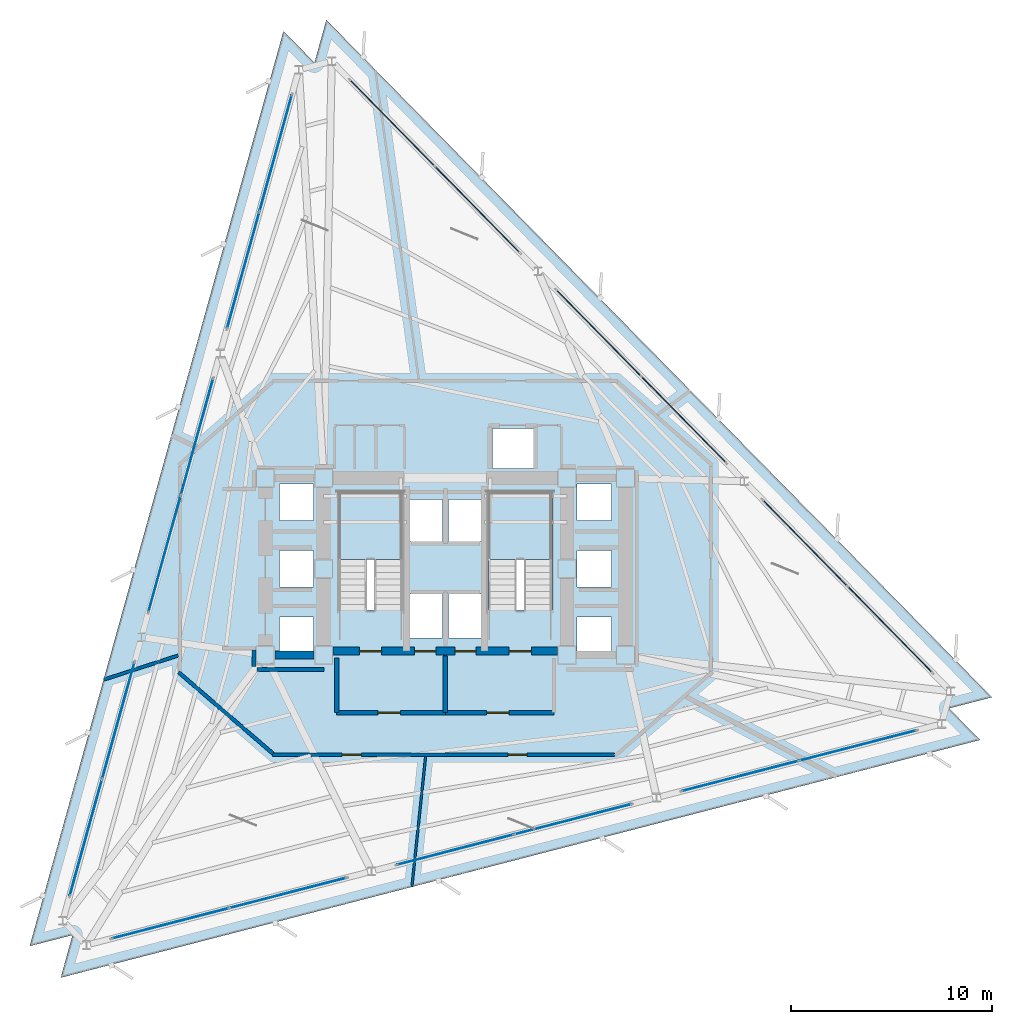
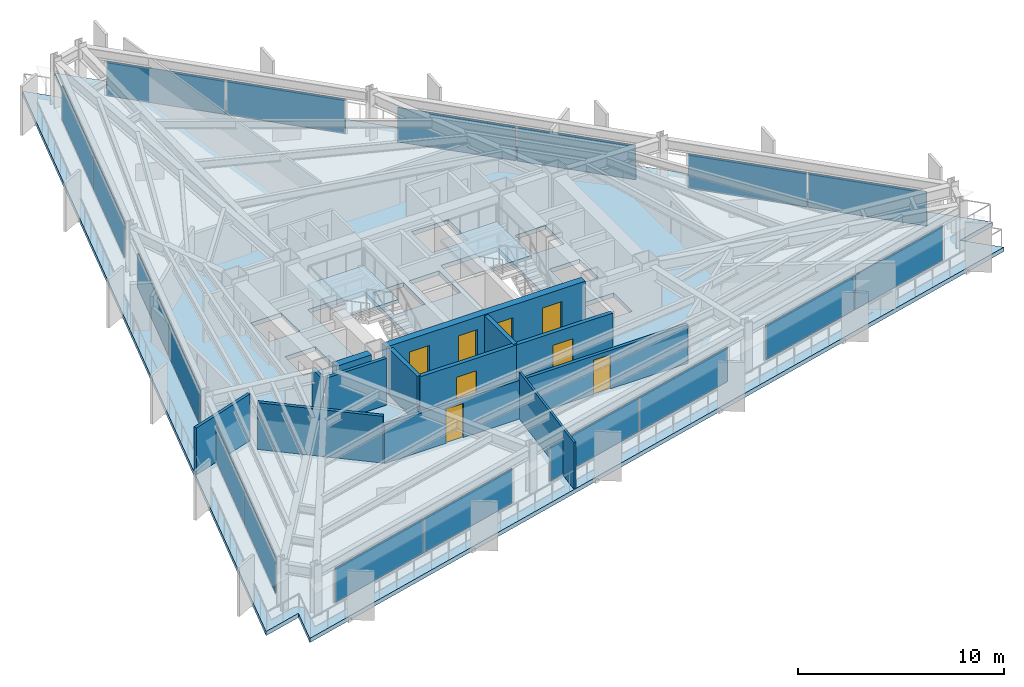
# One storey, part 6 of 11: 18 plates, 12 walls, 8 doors, 3 slabs, 8 openings, 11 elements without a shape of their own.
"""IFC4 building model written with IfcOpenShell, lengths in metres."""

from ifc_helpers import new_model, si_unit, direction, frame, frame_2d, origin, origin_2d, place, context, subcontext, project, spatial, polyline, rectangle, outline, extrude, material, layer, layer_set, type_object, element, fill, aggregate, save


model = new_model("IFC4")

# Units and contexts
model_context = context("Model", 3, precision=1e-05, world=origin(), true_north=direction((0.0, 1.0)))
body_context = subcontext(model_context, "Body", "Model", "MODEL_VIEW")
ifc_project = project(units=[si_unit("LENGTHUNIT", "METRE"), si_unit("AREAUNIT", "SQUARE_METRE"), si_unit("VOLUMEUNIT", "CUBIC_METRE"), si_unit("PLANEANGLEUNIT", "RADIAN"), si_unit("MASSUNIT", "GRAM", prefix="KILO")], contexts=[model_context])

# Site, building, storey
site_placement = place(None, origin())
site = spatial("IfcSite", under=ifc_project, at=site_placement, CompositionType="ELEMENT")
building_placement = place(site_placement, origin())
building = spatial("IfcBuilding", under=site, at=building_placement, Name="Rocaltana Carrier Exchange", CompositionType="ELEMENT")
storey_placement = place(building_placement, frame((0.0, 0.0, 88.639892578125)))
storey = spatial("IfcBuildingStorey", under=building, at=storey_placement, Name="L27", CompositionType="ELEMENT", Elevation=88.639892578125)

# Curtain wall, plates
ifc_material_1 = material(Name="Aluminium 6063-T6", Category="aluminium")
ifc_layer_1 = layer(ifc_material_1, 0.1650390625)
ifc_layer_set_1 = layer_set([ifc_layer_1], Name="Aluminium 6063-T6")
curtain_wall_type = type_object("IfcCurtainWallType", Name="Lower-Mid Stepped Curtain Wall CW-02", PredefinedType="NOTDEFINED", material=ifc_layer_set_1)
curtain_wall_1_placement = place(storey_placement, origin())
curtain_wall_1 = element("IfcCurtainWall", 1, at=curtain_wall_1_placement, inside=storey, type_object=curtain_wall_type, Name="L27 CW-02 Run CW-L27-F1S1", PredefinedType="NOTDEFINED")
ifc_material_2 = material(Name="Tempered Laminated Glass", Category="glass")
ifc_layer_2 = layer(ifc_material_2, 0.0419921875)
ifc_layer_set_2 = layer_set([ifc_layer_2], Name="Tempered Laminated Glass")
plate_type = type_object("IfcPlateType", Name="CW-02 Stone-Insulated Vision Panel", PredefinedType="CURTAIN_PANEL", material=ifc_layer_set_2)
plate_1_placement = place(storey_placement, frame((22.10400390625, -3.02490234375, 0.065185546875), z_axis=(0.0, 0.0, 1.0), x_axis=(-0.700915045542, 0.713244767898, 0.0)))
plate_1 = element("IfcPlate", 2, at=plate_1_placement, type_object=plate_type, Name="CW-02 panel 1.1", PredefinedType="CURTAIN_PANEL", context=body_context, shape_type="SweptSolid", body=[
    extrude(rectangle(XDim=5.96923828125, YDim=0.0419921875, at=origin_2d()), origin(), (0.0, 0.0, 1.0), 2.0380859375),
])
plate_2_placement = place(storey_placement, frame((17.874755859375, 1.279052734375, 0.065185546875), z_axis=(0.0, 0.0, 1.0), x_axis=(-0.700915045542, 0.713244767898, 0.0)))
plate_2 = element("IfcPlate", 3, at=plate_2_placement, type_object=plate_type, Name="CW-02 panel 2.1", PredefinedType="CURTAIN_PANEL", context=body_context, shape_type="SweptSolid", body=[
    extrude(rectangle(XDim=5.96923828125, YDim=0.0419921875, at=origin_2d()), origin(), (0.0, 0.0, 1.0), 2.0380859375),
])
aggregate(curtain_wall_1, [plate_1, plate_2])

curtain_wall_2_placement = place(storey_placement, origin())
curtain_wall_2 = element("IfcCurtainWall", 4, at=curtain_wall_2_placement, inside=storey, type_object=curtain_wall_type, Name="L27 CW-02 Run CW-L27-F1S2", PredefinedType="NOTDEFINED")
plate_3_placement = place(storey_placement, frame((11.847412109375, 7.412353515625, 0.065185546875), z_axis=(0.0, 0.0, 1.0), x_axis=(-0.700915118017, 0.713244696676, 0.0)))
plate_3 = element("IfcPlate", 5, at=plate_3_placement, type_object=plate_type, Name="CW-02 panel 1.1", PredefinedType="CURTAIN_PANEL", context=body_context, shape_type="SweptSolid", body=[
    extrude(rectangle(XDim=5.96923828125, YDim=0.0419921875, at=origin_2d()), origin(), (0.0, 0.0, 1.0), 2.0380859375),
])
plate_4_placement = place(storey_placement, frame((7.617919921875, 11.71630859375, 0.065185546875), z_axis=(0.0, 0.0, 1.0), x_axis=(-0.700915118017, 0.713244696676, 0.0)))
plate_4 = element("IfcPlate", 6, at=plate_4_placement, type_object=plate_type, Name="CW-02 panel 2.1", PredefinedType="CURTAIN_PANEL", context=body_context, shape_type="SweptSolid", body=[
    extrude(rectangle(XDim=5.96923828125, YDim=0.0419921875, at=origin_2d()), origin(), (0.0, 0.0, 1.0), 2.0380859375),
])
aggregate(curtain_wall_2, [plate_3, plate_4])

curtain_wall_3_placement = place(storey_placement, origin())
curtain_wall_3 = element("IfcCurtainWall", 7, at=curtain_wall_3_placement, inside=storey, type_object=curtain_wall_type, Name="L27 CW-02 Run CW-L27-F1S3", PredefinedType="NOTDEFINED")
plate_5_placement = place(storey_placement, frame((1.5908203125, 17.849609375, 0.065185546875), z_axis=(0.0, 0.0, 1.0), x_axis=(-0.700915045542, 0.713244767898, 0.0)))
plate_5 = element("IfcPlate", 8, at=plate_5_placement, type_object=plate_type, Name="CW-02 panel 1.1", PredefinedType="CURTAIN_PANEL", context=body_context, shape_type="SweptSolid", body=[
    extrude(rectangle(XDim=5.96923828125, YDim=0.0419921875, at=origin_2d()), origin(), (0.0, 0.0, 1.0), 2.0380859375),
])
plate_6_placement = place(storey_placement, frame((-2.638671875, 22.153564453125, 0.065185546875), z_axis=(0.0, 0.0, 1.0), x_axis=(-0.700915045542, 0.713244767898, 0.0)))
plate_6 = element("IfcPlate", 9, at=plate_6_placement, type_object=plate_type, Name="CW-02 panel 2.1", PredefinedType="CURTAIN_PANEL", context=body_context, shape_type="SweptSolid", body=[
    extrude(rectangle(XDim=5.96923828125, YDim=0.0419921875, at=origin_2d()), origin(), (0.0, 0.0, 1.0), 2.0380859375),
])
aggregate(curtain_wall_3, [plate_5, plate_6])

curtain_wall_4_placement = place(storey_placement, origin())
curtain_wall_4 = element("IfcCurtainWall", 10, at=curtain_wall_4_placement, inside=storey, type_object=curtain_wall_type, Name="L27 CW-02 Run CW-L27-F2S1", PredefinedType="NOTDEFINED")
plate_7_placement = place(storey_placement, frame((-8.432373046875, 20.655029296875, 0.065185546875), z_axis=(0.0, 0.0, 1.0), x_axis=(-0.267245546918, -0.96362846453, 0.0)))
plate_7 = element("IfcPlate", 11, at=plate_7_placement, type_object=plate_type, Name="CW-02 panel 1.1", PredefinedType="CURTAIN_PANEL", context=body_context, shape_type="SweptSolid", body=[
    extrude(rectangle(XDim=5.96923828125, YDim=0.0419921875, at=origin_2d()), origin(), (0.0, 0.0, 1.0), 2.0380859375),
])
plate_8_placement = place(storey_placement, frame((-10.045166015625, 14.84033203125, 0.065185546875), z_axis=(0.0, 0.0, 1.0), x_axis=(-0.267245546918, -0.96362846453, 0.0)))
plate_8 = element("IfcPlate", 12, at=plate_8_placement, type_object=plate_type, Name="CW-02 panel 2.1", PredefinedType="CURTAIN_PANEL", context=body_context, shape_type="SweptSolid", body=[
    extrude(rectangle(XDim=5.96923828125, YDim=0.0419921875, at=origin_2d()), origin(), (0.0, 0.0, 1.0), 2.0380859375),
])
aggregate(curtain_wall_4, [plate_7, plate_8])

curtain_wall_5_placement = place(storey_placement, origin())
curtain_wall_5 = element("IfcCurtainWall", 13, at=curtain_wall_5_placement, inside=storey, type_object=curtain_wall_type, Name="L27 CW-02 Run CW-L27-F2S2", PredefinedType="NOTDEFINED")
plate_9_placement = place(storey_placement, frame((-12.343017578125, 6.553955078125, 0.065185546875), z_axis=(0.0, 0.0, 1.0), x_axis=(-0.267237893807, -0.963630586954, 0.0)))
plate_9 = element("IfcPlate", 14, at=plate_9_placement, type_object=plate_type, Name="CW-02 panel 1.1", PredefinedType="CURTAIN_PANEL", context=body_context, shape_type="SweptSolid", body=[
    extrude(rectangle(XDim=5.96923828125, YDim=0.0419921875, at=origin_2d()), origin(), (0.0, 0.0, 1.0), 2.0380859375),
])
plate_10_placement = place(storey_placement, frame((-13.95556640625, 0.7392578125, 0.065185546875), z_axis=(0.0, 0.0, 1.0), x_axis=(-0.267237893807, -0.963630586954, 0.0)))
plate_10 = element("IfcPlate", 15, at=plate_10_placement, type_object=plate_type, Name="CW-02 panel 2.1", PredefinedType="CURTAIN_PANEL", context=body_context, shape_type="SweptSolid", body=[
    extrude(rectangle(XDim=5.96923828125, YDim=0.0419921875, at=origin_2d()), origin(), (0.0, 0.0, 1.0), 2.0380859375),
])
aggregate(curtain_wall_5, [plate_9, plate_10])

curtain_wall_6_placement = place(storey_placement, origin())
curtain_wall_6 = element("IfcCurtainWall", 16, at=curtain_wall_6_placement, inside=storey, type_object=curtain_wall_type, Name="L27 CW-02 Run CW-L27-F2S3", PredefinedType="NOTDEFINED")
plate_11_placement = place(storey_placement, frame((-16.253662109375, -7.547119140625, 0.065185546875), z_axis=(0.0, 0.0, 1.0), x_axis=(-0.267243424491, -0.963629053146, 0.0)))
plate_11 = element("IfcPlate", 17, at=plate_11_placement, type_object=plate_type, Name="CW-02 panel 1.1", PredefinedType="CURTAIN_PANEL", context=body_context, shape_type="SweptSolid", body=[
    extrude(rectangle(XDim=5.96923828125, YDim=0.0419921875, at=origin_2d()), origin(), (0.0, 0.0, 1.0), 2.0380859375),
])
plate_12_placement = place(storey_placement, frame((-17.8662109375, -13.36181640625, 0.065185546875), z_axis=(0.0, 0.0, 1.0), x_axis=(-0.267243424491, -0.963629053146, 0.0)))
plate_12 = element("IfcPlate", 18, at=plate_12_placement, type_object=plate_type, Name="CW-02 panel 2.1", PredefinedType="CURTAIN_PANEL", context=body_context, shape_type="SweptSolid", body=[
    extrude(rectangle(XDim=5.96923828125, YDim=0.0419921875, at=origin_2d()), origin(), (0.0, 0.0, 1.0), 2.0380859375),
])
aggregate(curtain_wall_6, [plate_11, plate_12])

curtain_wall_7_placement = place(storey_placement, origin())
curtain_wall_7 = element("IfcCurtainWall", 19, at=curtain_wall_7_placement, inside=storey, type_object=curtain_wall_type, Name="L27 CW-02 Run CW-L27-F3S1", PredefinedType="NOTDEFINED")
plate_13_placement = place(storey_placement, frame((-13.671630859375, -17.63037109375, 0.065185546875), z_axis=(0.0, 0.0, 1.0), x_axis=(0.968148220548, 0.250377760692, 0.0)))
plate_13 = element("IfcPlate", 20, at=plate_13_placement, type_object=plate_type, Name="CW-02 panel 1.1", PredefinedType="CURTAIN_PANEL", context=body_context, shape_type="SweptSolid", body=[
    extrude(rectangle(XDim=5.96923828125, YDim=0.0419921875, at=origin_2d()), origin(), (0.0, 0.0, 1.0), 2.0380859375),
])
plate_14_placement = place(storey_placement, frame((-7.82958984375, -16.119384765625, 0.065185546875), z_axis=(0.0, 0.0, 1.0), x_axis=(0.968148220548, 0.250377760692, 0.0)))
plate_14 = element("IfcPlate", 21, at=plate_14_placement, type_object=plate_type, Name="CW-02 panel 2.1", PredefinedType="CURTAIN_PANEL", context=body_context, shape_type="SweptSolid", body=[
    extrude(rectangle(XDim=5.96923828125, YDim=0.0419921875, at=origin_2d()), origin(), (0.0, 0.0, 1.0), 2.0380859375),
])
aggregate(curtain_wall_7, [plate_13, plate_14])

curtain_wall_8_placement = place(storey_placement, origin())
curtain_wall_8 = element("IfcCurtainWall", 22, at=curtain_wall_8_placement, inside=storey, type_object=curtain_wall_type, Name="L27 CW-02 Run CW-L27-F3S2", PredefinedType="NOTDEFINED")
plate_15_placement = place(storey_placement, frame((0.49560546875, -13.96630859375, 0.065185546875), z_axis=(0.0, 0.0, 1.0), x_axis=(0.968148220548, 0.250377760692, 0.0)))
plate_15 = element("IfcPlate", 23, at=plate_15_placement, type_object=plate_type, Name="CW-02 panel 1.1", PredefinedType="CURTAIN_PANEL", context=body_context, shape_type="SweptSolid", body=[
    extrude(rectangle(XDim=5.96923828125, YDim=0.0419921875, at=origin_2d()), origin(), (0.0, 0.0, 1.0), 2.0380859375),
])
plate_16_placement = place(storey_placement, frame((6.337646484375, -12.45556640625, 0.065185546875), z_axis=(0.0, 0.0, 1.0), x_axis=(0.968148220548, 0.250377760692, 0.0)))
plate_16 = element("IfcPlate", 24, at=plate_16_placement, type_object=plate_type, Name="CW-02 panel 2.1", PredefinedType="CURTAIN_PANEL", context=body_context, shape_type="SweptSolid", body=[
    extrude(rectangle(XDim=5.96923828125, YDim=0.0419921875, at=origin_2d()), origin(), (0.0, 0.0, 1.0), 2.0380859375),
])
aggregate(curtain_wall_8, [plate_15, plate_16])

curtain_wall_9_placement = place(storey_placement, origin())
curtain_wall_9 = element("IfcCurtainWall", 25, at=curtain_wall_9_placement, inside=storey, type_object=curtain_wall_type, Name="L27 CW-02 Run CW-L27-F3S3", PredefinedType="NOTDEFINED")
plate_17_placement = place(storey_placement, frame((14.662841796875, -10.302490234375, 0.065185546875), z_axis=(0.0, 0.0, 1.0), x_axis=(0.96815021836, 0.250370035526, 0.0)))
plate_17 = element("IfcPlate", 26, at=plate_17_placement, type_object=plate_type, Name="CW-02 panel 1.1", PredefinedType="CURTAIN_PANEL", context=body_context, shape_type="SweptSolid", body=[
    extrude(rectangle(XDim=5.96923828125, YDim=0.0419921875, at=origin_2d()), origin(), (0.0, 0.0, 1.0), 2.0380859375),
])
plate_18_placement = place(storey_placement, frame((20.5048828125, -8.791748046875, 0.065185546875), z_axis=(0.0, 0.0, 1.0), x_axis=(0.96815021836, 0.250370035526, 0.0)))
plate_18 = element("IfcPlate", 27, at=plate_18_placement, type_object=plate_type, Name="CW-02 panel 2.1", PredefinedType="CURTAIN_PANEL", context=body_context, shape_type="SweptSolid", body=[
    extrude(rectangle(XDim=5.96923828125, YDim=0.0419921875, at=origin_2d()), origin(), (0.0, 0.0, 1.0), 2.0380859375),
])
aggregate(curtain_wall_9, [plate_17, plate_18])

# Slab
ifc_material_3 = material(Name="Concrete C50/60", Category="concrete")
ifc_layer_3 = layer(ifc_material_3, 0.25)
ifc_layer_set_3 = layer_set([ifc_layer_3], Name="Concrete C50/60")
slab_type_1 = type_object("IfcSlabType", Name="Mid-Zone Tower Slab 250", PredefinedType="FLOOR", material=ifc_layer_set_3)
slab_1_placement = place(storey_placement, frame((0.0, 0.0, -0.25)))
element("IfcSlab", 28, at=slab_1_placement, inside=storey, type_object=slab_type_1, Name="L27 Structural Floor Slab", PredefinedType="FLOOR", context=body_context, shape_type="SweptSolid", body=[
    extrude(outline(polyline([(26.577880859375, -8.51220703125), (25.035888671875, -6.943115234375), (27.165771484375, -6.39208984375), (-5.9169921875, 27.273193359375), (-6.505126953125, 25.1533203125), (-8.047119140625, 26.722412109375), (-20.66064453125, -18.760986328125), (-18.53076171875, -18.210205078125), (-19.11865234375, -20.330078125), (26.577880859375, -8.51220703125)]), holes=[polyline([(-5.300048828125, -2.06005859375), (-2.139892578125, -2.06005859375), (-2.139892578125, 3.800048828125), (-5.300048828125, 3.800048828125), (-5.300048828125, -2.06005859375)]), polyline([(2.139892578125, -2.06005859375), (5.300048828125, -2.06005859375), (5.300048828125, 3.800048828125), (2.139892578125, 3.800048828125), (2.139892578125, -2.06005859375)]), polyline([(-1.85009765625, -3.449951171875), (-0.14990234375, -3.449951171875), (-0.14990234375, -1.25), (-1.85009765625, -1.25), (-1.85009765625, -3.449951171875)]), polyline([(0.14990234375, -3.449951171875), (1.85009765625, -3.449951171875), (1.85009765625, -1.25), (0.14990234375, -1.25), (0.14990234375, -3.449951171875)]), polyline([(2.35009765625, 4.97998046875), (4.39990234375, 4.97998046875), (4.39990234375, 6.97998046875), (2.35009765625, 6.97998046875), (2.35009765625, 4.97998046875)]), polyline([(-1.85009765625, 1.35009765625), (-0.14990234375, 1.35009765625), (-0.14990234375, 3.449951171875), (-1.85009765625, 3.449951171875), (-1.85009765625, 1.35009765625)]), polyline([(0.14990234375, 1.35009765625), (1.85009765625, 1.35009765625), (1.85009765625, 3.449951171875), (0.14990234375, 3.449951171875), (0.14990234375, 1.35009765625)]), polyline([(-8.25, -4.199951171875), (-6.550048828125, -4.199951171875), (-6.550048828125, -2.39990234375), (-8.25, -2.39990234375), (-8.25, -4.199951171875)]), polyline([(-8.25, -0.89990234375), (-6.550048828125, -0.89990234375), (-6.550048828125, 0.89990234375), (-8.25, 0.89990234375), (-8.25, -0.89990234375)]), polyline([(-8.25, 2.39990234375), (-6.550048828125, 2.39990234375), (-6.550048828125, 4.199951171875), (-8.25, 4.199951171875), (-8.25, 2.39990234375)]), polyline([(6.550048828125, -4.199951171875), (8.25, -4.199951171875), (8.25, -2.39990234375), (6.550048828125, -2.39990234375), (6.550048828125, -4.199951171875)]), polyline([(6.550048828125, -0.89990234375), (8.25, -0.89990234375), (8.25, 0.89990234375), (6.550048828125, 0.89990234375), (6.550048828125, -0.89990234375)]), polyline([(6.550048828125, 2.39990234375), (8.25, 2.39990234375), (8.25, 4.199951171875), (6.550048828125, 4.199951171875), (6.550048828125, 2.39990234375)])]), origin(), (0.0, 0.0, 1.0), 0.25),
])

# Stair, slab
ifc_material_4 = material(Name="Precast concrete C45/55", Category="concrete")
stair_type = type_object("IfcStairType", Name="Standard Dog-Leg Stair 160", PredefinedType="HALF_TURN_STAIR", material=ifc_material_4)
stair_1_placement = place(storey_placement, origin())
stair_1 = element("IfcStair", 29, at=stair_1_placement, inside=storey, type_object=stair_type, Name="L27 Core West Exit Stair ST-1", PredefinedType="HALF_TURN_STAIR")
ifc_material_5 = material(Name="Precast concrete C45/55", Category="concrete")
ifc_layer_4 = layer(ifc_material_5, 0.199951171875)
ifc_layer_set_4 = layer_set([ifc_layer_4], Name="Precast concrete C45/55")
slab_type_2 = type_object("IfcSlabType", Name="Precast Stair Half-Landing 200", PredefinedType="LANDING", material=ifc_layer_set_4)
slab_2_placement = place(storey_placement, frame((0.0, 0.0, 1.320068359375)))
slab_2 = element("IfcSlab", 30, at=slab_2_placement, type_object=slab_type_2, Name="ST-1 landing 1", PredefinedType="LANDING", context=body_context, shape_type="SweptSolid", body=[
    extrude(outline(polyline([(-2.139892578125, 0.4599609375), (-2.139892578125, 3.800048828125), (-5.300048828125, 3.800048828125), (-5.300048828125, 0.4599609375), (-2.139892578125, 0.4599609375)])), origin(), (0.0, 0.0, 1.0), 0.199951171875),
])
aggregate(stair_1, [slab_2])

stair_2_placement = place(storey_placement, origin())
stair_2 = element("IfcStair", 31, at=stair_2_placement, inside=storey, type_object=stair_type, Name="L27 Core East Exit Stair ST-2", PredefinedType="HALF_TURN_STAIR")
slab_3_placement = place(storey_placement, frame((0.0, 0.0, 1.320068359375)))
slab_3 = element("IfcSlab", 32, at=slab_3_placement, type_object=slab_type_2, Name="ST-2 landing 1", PredefinedType="LANDING", context=body_context, shape_type="SweptSolid", body=[
    extrude(outline(polyline([(5.300048828125, 0.4599609375), (5.300048828125, 3.800048828125), (2.139892578125, 3.800048828125), (2.139892578125, 0.4599609375), (5.300048828125, 0.4599609375)])), origin(), (0.0, 0.0, 1.0), 0.199951171875),
])
aggregate(stair_2, [slab_3])

# Wall
ifc_material_6 = material(Name="Double Acoustic Gypsum Partition", Category="gypsum")
ifc_layer_5 = layer(ifc_material_6, 0.159912109375)
ifc_layer_set_5 = layer_set([ifc_layer_5], Name="Double Acoustic Gypsum Partition")
wall_type_1 = type_object("IfcWallType", Name="Acoustic Studio Partition 160 EI60", PredefinedType="PARTITIONING", material=ifc_layer_set_5)
wall_1_placement = place(storey_placement, frame((-13.280029296875, -4.31494140625, 0.0), z_axis=(0.0, 0.0, 1.0), x_axis=(-0.951067292341, -0.308983827147, 0.0)))
element("IfcWall", 33, at=wall_1_placement, inside=storey, type_object=wall_type_1, Name="L27 Suite Divider Wall D1", PredefinedType="PARTITIONING", context=body_context, shape_type="SweptSolid", body=[
    extrude(rectangle(XDim=3.887451171875, YDim=0.159912109375, at=frame_2d((1.94384765625, 0.0))), origin(), (0.0, 0.0, 1.0), 2.76318359375),
])

# Wall, openings, doors
ifc_material_7 = material(Name="Concrete C50/60", Category="concrete")
ifc_layer_6 = layer(ifc_material_7, 0.39990234375)
ifc_layer_set_6 = layer_set([ifc_layer_6], Name="Concrete C50/60")
wall_type_2 = type_object("IfcWallType", Name="Core Internal Shear Wall 400", PredefinedType="SHEAR", material=ifc_layer_set_6)
wall_2_placement = place(storey_placement, frame((-5.574951171875, -4.10009765625, 0.0), z_axis=(0.0, 0.0, 1.0), x_axis=(1.0, 0.0, 0.0)))
wall_2 = element("IfcWall", 34, at=wall_2_placement, inside=storey, type_object=wall_type_2, Name="L27 Core Shear Wall CW-S", PredefinedType="SHEAR", context=body_context, shape_type="SweptSolid", body=[
    extrude(rectangle(XDim=11.14990234375, YDim=0.39990234375, at=frame_2d((5.574951171875, 0.0))), origin(), (0.0, 0.0, 1.0), 2.7880859375),
])
opening_1_placement = place(wall_2_placement, frame((1.304931640625, 0.0, 0.0)))
opening_1 = element("IfcOpeningElement", 35, at=opening_1_placement, cuts=wall_2, Name="Opening D-ST110", PredefinedType="OPENING", context=body_context, shape_type="SweptSolid", body=[
    extrude(rectangle(XDim=1.10009765625, YDim=2.0400390625, at=frame_2d((0.550048828125, 1.02001953125))), frame((0.0, 0.2099609375, 0.0), z_axis=(0.0, -1.0, 0.0), x_axis=(1.0, 0.0, 0.0)), (0.0, 0.0, 1.0), 0.419921875),
])
opening_2_placement = place(wall_2_placement, frame((8.7451171875, 0.0, 0.0)))
opening_2 = element("IfcOpeningElement", 36, at=opening_2_placement, cuts=wall_2, Name="Opening D-ST110", PredefinedType="OPENING", context=body_context, shape_type="SweptSolid", body=[
    extrude(rectangle(XDim=1.10009765625, YDim=2.0400390625, at=frame_2d((0.550048828125, 1.02001953125))), frame((0.0, 0.2099609375, 0.0), z_axis=(0.0, -1.0, 0.0), x_axis=(1.0, 0.0, 0.0)), (0.0, 0.0, 1.0), 0.419921875),
])
opening_3_placement = place(wall_2_placement, frame((4.044921875, 0.0, 0.0)))
opening_3 = element("IfcOpeningElement", 37, at=opening_3_placement, cuts=wall_2, Name="Opening LD-110", PredefinedType="OPENING", context=body_context, shape_type="SweptSolid", body=[
    extrude(rectangle(XDim=1.06005859375, YDim=2.0400390625, at=frame_2d((0.530029296875, 1.02001953125))), frame((0.0, 0.2099609375, 0.0), z_axis=(0.0, -1.0, 0.0), x_axis=(1.0, 0.0, 0.0)), (0.0, 0.0, 1.0), 0.419921875),
])
opening_4_placement = place(wall_2_placement, frame((6.044921875, 0.0, 0.0)))
opening_4 = element("IfcOpeningElement", 38, at=opening_4_placement, cuts=wall_2, Name="Opening LD-110", PredefinedType="OPENING", context=body_context, shape_type="SweptSolid", body=[
    extrude(rectangle(XDim=1.06005859375, YDim=2.0400390625, at=frame_2d((0.530029296875, 1.02001953125))), frame((0.0, 0.2099609375, 0.0), z_axis=(0.0, -1.0, 0.0), x_axis=(1.0, 0.0, 0.0)), (0.0, 0.0, 1.0), 0.419921875),
])
ifc_material_8 = material(Name="Hollow Metal Fire Door Assembly", Category="steel")
door_type_1 = type_object("IfcDoorType", Name="Exit Stair Fire Door 1100x2040 FD90S", OperationType="NOTDEFINED", PredefinedType="DOOR", material=ifc_material_8)
door_1_placement = place(opening_1_placement, origin())
door_1 = element("IfcDoor", 39, at=door_1_placement, inside=storey, type_object=door_type_1, Name="L27 Exit Stair ST1 Fire Door", OperationType="SINGLE_SWING_RIGHT", OverallHeight=2.0400390625, OverallWidth=1.10009765625, PredefinedType="DOOR", context=body_context, shape_type="SweptSolid", body=[
    extrude(rectangle(XDim=1.10009765625, YDim=2.0400390625, at=frame_2d((0.550048828125, 1.02001953125))), frame((0.0, 0.02490234375, 0.0), z_axis=(0.0, -1.0, 0.0), x_axis=(1.0, 0.0, 0.0)), (0.0, 0.0, 1.0), 0.050048828125),
])
fill(opening_1, door_1)
door_2_placement = place(opening_2_placement, origin())
door_2 = element("IfcDoor", 40, at=door_2_placement, inside=storey, type_object=door_type_1, Name="L27 Exit Stair ST2 Fire Door", OperationType="SINGLE_SWING_LEFT", OverallHeight=2.0400390625, OverallWidth=1.10009765625, PredefinedType="DOOR", context=body_context, shape_type="SweptSolid", body=[
    extrude(rectangle(XDim=1.10009765625, YDim=2.0400390625, at=frame_2d((0.550048828125, 1.02001953125))), frame((0.0, 0.02490234375, 0.0), z_axis=(0.0, -1.0, 0.0), x_axis=(1.0, 0.0, 0.0)), (0.0, 0.0, 1.0), 0.050048828125),
])
fill(opening_2, door_2)
ifc_material_9 = material(Name="Brushed Stainless Sliding Door Leaf", Category="steel")
door_type_2 = type_object("IfcDoorType", Name="Lift Landing Sliding Door 1060x2040", OperationType="NOTDEFINED", PredefinedType="DOOR", material=ifc_material_9)
door_3_placement = place(opening_3_placement, origin())
door_3 = element("IfcDoor", 41, at=door_3_placement, inside=storey, type_object=door_type_2, Name="L27 Firefighting Lift FFL1 Landing Door", OperationType="SLIDING_TO_LEFT", OverallHeight=2.0400390625, OverallWidth=1.06005859375, PredefinedType="DOOR", context=body_context, shape_type="SweptSolid", body=[
    extrude(rectangle(XDim=1.06005859375, YDim=2.0400390625, at=frame_2d((0.530029296875, 1.02001953125))), frame((0.0, 0.02490234375, 0.0), z_axis=(0.0, -1.0, 0.0), x_axis=(1.0, 0.0, 0.0)), (0.0, 0.0, 1.0), 0.050048828125),
])
fill(opening_3, door_3)
door_4_placement = place(opening_4_placement, origin())
door_4 = element("IfcDoor", 42, at=door_4_placement, inside=storey, type_object=door_type_2, Name="L27 Firefighting Lift FFL2 Landing Door", OperationType="SLIDING_TO_RIGHT", OverallHeight=2.0400390625, OverallWidth=1.06005859375, PredefinedType="DOOR", context=body_context, shape_type="SweptSolid", body=[
    extrude(rectangle(XDim=1.06005859375, YDim=2.0400390625, at=frame_2d((0.530029296875, 1.02001953125))), frame((0.0, 0.02490234375, 0.0), z_axis=(0.0, -1.0, 0.0), x_axis=(1.0, 0.0, 0.0)), (0.0, 0.0, 1.0), 0.050048828125),
])
fill(opening_4, door_4)

# Wall
wall_3_placement = place(storey_placement, frame((-8.47509765625, -4.300048828125, 0.0), z_axis=(0.0, 0.0, 1.0), x_axis=(1.0, 0.0, 0.0)))
element("IfcWall", 43, at=wall_3_placement, inside=storey, type_object=wall_type_2, Name="L27 Core Shear Wall CW-WWS", PredefinedType="SHEAR", context=body_context, shape_type="SweptSolid", body=[
    extrude(rectangle(XDim=1.9501953125, YDim=0.39990234375, at=frame_2d((0.97509765625, 0.0))), origin(), (0.0, 0.0, 1.0), 2.7880859375),
])

# Wall, openings, doors
ifc_material_10 = material(Name="Gypsum & Steel Stud Partition", Category="steel")
ifc_layer_7 = layer(ifc_material_10, 0.179931640625)
ifc_layer_set_7 = layer_set([ifc_layer_7], Name="Gypsum & Steel Stud Partition")
wall_type_3 = type_object("IfcWallType", Name="Corridor Fire Partition 180 EI60", PredefinedType="PARTITIONING", material=ifc_layer_set_7)
wall_4_placement = place(storey_placement, frame((8.409912109375, -9.25, 0.0), z_axis=(0.0, 0.0, 1.0), x_axis=(-1.0, 0.0, 0.0)))
wall_4 = element("IfcWall", 44, at=wall_4_placement, inside=storey, type_object=wall_type_3, Name="L27 Corridor Partition 5", PredefinedType="PARTITIONING", context=body_context, shape_type="SweptSolid", body=[
    extrude(rectangle(XDim=17.0, YDim=0.179931640625, at=frame_2d((8.5, 0.0))), origin(), (0.0, 0.0, 1.0), 2.277099609375),
])
opening_5_placement = place(wall_4_placement, frame((12.58544921875, 0.0, 0.0)))
opening_5 = element("IfcOpeningElement", 45, at=opening_5_placement, cuts=wall_4, Name="Opening D-RM098", PredefinedType="OPENING", context=body_context, shape_type="SweptSolid", body=[
    extrude(rectangle(XDim=0.9599609375, YDim=2.02001953125, at=frame_2d((0.47998046875, 1.010009765625))), frame((0.0, 0.099853515625, 0.0), z_axis=(0.0, -1.0, 0.0), x_axis=(1.0, 0.0, 0.0)), (0.0, 0.0, 1.0), 0.199951171875),
])
opening_6_placement = place(wall_4_placement, frame((4.34521484375, 0.0, 0.0)))
opening_6 = element("IfcOpeningElement", 46, at=opening_6_placement, cuts=wall_4, Name="Opening D-RM098", PredefinedType="OPENING", context=body_context, shape_type="SweptSolid", body=[
    extrude(rectangle(XDim=0.9599609375, YDim=2.02001953125, at=frame_2d((0.47998046875, 1.010009765625))), frame((0.0, 0.099853515625, 0.0), z_axis=(0.0, -1.0, 0.0), x_axis=(1.0, 0.0, 0.0)), (0.0, 0.0, 1.0), 0.199951171875),
])
ifc_material_11 = material(Name="Engineered Hardwood Timber", Category="wood")
door_type_3 = type_object("IfcDoorType", Name="Workspace Single Door 960x2020", OperationType="NOTDEFINED", PredefinedType="DOOR", material=ifc_material_11)
door_5_placement = place(opening_5_placement, origin())
door_5 = element("IfcDoor", 47, at=door_5_placement, inside=storey, type_object=door_type_3, Name="L27 Quiet Focus Lounge Entrance Door", OperationType="SINGLE_SWING_LEFT", OverallHeight=2.02001953125, OverallWidth=0.9599609375, PredefinedType="DOOR", context=body_context, shape_type="SweptSolid", body=[
    extrude(rectangle(XDim=0.9599609375, YDim=2.02001953125, at=frame_2d((0.47998046875, 1.010009765625))), frame((0.0, 0.02490234375, 0.0), z_axis=(0.0, -1.0, 0.0), x_axis=(1.0, 0.0, 0.0)), (0.0, 0.0, 1.0), 0.050048828125),
])
fill(opening_5, door_5)
door_6_placement = place(opening_6_placement, origin())
door_6 = element("IfcDoor", 48, at=door_6_placement, inside=storey, type_object=door_type_3, Name="L27 Cloud Architecture Office Entrance Door", OperationType="SINGLE_SWING_RIGHT", OverallHeight=2.02001953125, OverallWidth=0.9599609375, PredefinedType="DOOR", context=body_context, shape_type="SweptSolid", body=[
    extrude(rectangle(XDim=0.9599609375, YDim=2.02001953125, at=frame_2d((0.47998046875, 1.010009765625))), frame((0.0, 0.02490234375, 0.0), z_axis=(0.0, -1.0, 0.0), x_axis=(1.0, 0.0, 0.0)), (0.0, 0.0, 1.0), 0.050048828125),
])
fill(opening_6, door_6)

# Walls
wall_5_placement = place(storey_placement, frame((-8.568115234375, -9.191162109375, 0.0), z_axis=(0.0, 0.0, 1.0), x_axis=(-0.757556899173, 0.652769135694, 0.0)))
element("IfcWall", 49, at=wall_5_placement, inside=storey, type_object=wall_type_3, Name="L27 Corridor Partition 6", PredefinedType="PARTITIONING", context=body_context, shape_type="SweptSolid", body=[
    extrude(rectangle(XDim=6.204345703125, YDim=0.179931640625, at=frame_2d((3.10205078125, 0.0))), origin(), (0.0, 0.0, 1.0), 2.76318359375),
])
wall_6_placement = place(storey_placement, frame((-9.510009765625, -4.050048828125, 0.0), z_axis=(0.0, 0.0, 1.0), x_axis=(0.0, -1.0, 0.0)))
element("IfcWall", 50, at=wall_6_placement, inside=storey, type_object=wall_type_3, Name="L27 Corridor Partition 12", PredefinedType="PARTITIONING", context=body_context, shape_type="SweptSolid", body=[
    extrude(rectangle(XDim=0.820068359375, YDim=0.179931640625, at=frame_2d((0.41015625, 0.0))), origin(), (0.0, 0.0, 1.0), 2.76318359375),
])
wall_7_placement = place(storey_placement, frame((-9.3701171875, -5.010009765625, 0.0), z_axis=(0.0, 0.0, 1.0), x_axis=(1.0, 0.0, 0.0)))
element("IfcWall", 51, at=wall_7_placement, inside=storey, type_object=wall_type_3, Name="L27 Corridor Partition 13", PredefinedType="PARTITIONING", context=body_context, shape_type="SweptSolid", body=[
    extrude(rectangle(XDim=3.340087890625, YDim=0.179931640625, at=frame_2d((1.669921875, 0.0))), origin(), (0.0, 0.0, 1.0), 2.76318359375),
])
ifc_material_12 = material(Name="Aluminium 6063-T6 & Acoustic Glass", Category="aluminium")
ifc_layer_8 = layer(ifc_material_12, 0.114990234375)
ifc_layer_set_8 = layer_set([ifc_layer_8], Name="Aluminium 6063-T6 & Acoustic Glass")
wall_type_4 = type_object("IfcWallType", Name="Demountable Glazed Lab Partition 115", PredefinedType="MOVABLE", material=ifc_layer_set_8)
wall_8_placement = place(storey_placement, frame((-0.980712890625, -9.330078125, 0.0), z_axis=(0.0, 0.0, 1.0), x_axis=(-0.10451105245, -0.994523725165, 0.0)))
element("IfcWall", 52, at=wall_8_placement, inside=storey, type_object=wall_type_4, Name="L27 Suite Divider Wall D2", PredefinedType="MOVABLE", context=body_context, shape_type="SweptSolid", body=[
    extrude(rectangle(XDim=6.510498046875, YDim=0.114990234375, at=frame_2d((3.25537109375, 0.0))), origin(), (0.0, 0.0, 1.0), 2.76318359375),
])
ifc_material_13 = material(Name="Autoclaved Aerated Concrete C30/37", Category="concrete")
ifc_layer_9 = layer(ifc_material_13, 0.219970703125)
ifc_layer_set_9 = layer_set([ifc_layer_9], Name="Autoclaved Aerated Concrete C30/37")
wall_type_5 = type_object("IfcWallType", Name="Firefighting Lobby Wall 220 EI120", PredefinedType="PARTITIONING", material=ifc_layer_set_9)
wall_9_placement = place(storey_placement, frame((-5.39990234375, -7.159912109375, 0.0), z_axis=(0.0, 0.0, 1.0), x_axis=(0.0, 1.0, 0.0)))
element("IfcWall", 53, at=wall_9_placement, inside=storey, type_object=wall_type_5, Name="L27 FFL Lobby 1 West Wall", PredefinedType="PARTITIONING", context=body_context, shape_type="SweptSolid", body=[
    extrude(rectangle(XDim=2.7099609375, YDim=0.219970703125, at=frame_2d((1.35498046875, 0.0))), origin(), (0.0, 0.0, 1.0), 2.76318359375),
])
wall_10_placement = place(storey_placement, frame((0.0, -7.159912109375, 0.0), z_axis=(0.0, 0.0, 1.0), x_axis=(0.0, 1.0, 0.0)))
element("IfcWall", 54, at=wall_10_placement, inside=storey, type_object=wall_type_5, Name="L27 FFL Lobby Centre Wall", PredefinedType="PARTITIONING", context=body_context, shape_type="SweptSolid", body=[
    extrude(rectangle(XDim=2.809814453125, YDim=0.219970703125, at=frame_2d((1.40478515625, 0.0))), origin(), (0.0, 0.0, 1.0), 2.76318359375),
])

# Wall, opening, door
wall_11_placement = place(storey_placement, frame((-5.39990234375, -7.159912109375, 0.0), z_axis=(0.0, 0.0, 1.0), x_axis=(1.0, 0.0, 0.0)))
wall_11 = element("IfcWall", 55, at=wall_11_placement, inside=storey, type_object=wall_type_5, Name="L27 FFL Lobby 1 South Wall", PredefinedType="PARTITIONING", context=body_context, shape_type="SweptSolid", body=[
    extrude(rectangle(XDim=5.39990234375, YDim=0.219970703125, at=frame_2d((2.699951171875, 0.0))), origin(), (0.0, 0.0, 1.0), 2.76318359375),
])
opening_7_placement = place(wall_11_placement, frame((2.050048828125, 0.0, 0.0)))
opening_7 = element("IfcOpeningElement", 56, at=opening_7_placement, cuts=wall_11, Name="Opening D-FF115", PredefinedType="OPENING", context=body_context, shape_type="SweptSolid", body=[
    extrude(rectangle(XDim=1.1201171875, YDim=2.02001953125, at=frame_2d((0.56005859375, 1.010009765625))), frame((0.0, 0.119873046875, 0.0), z_axis=(0.0, -1.0, 0.0), x_axis=(1.0, 0.0, 0.0)), (0.0, 0.0, 1.0), 0.239990234375),
])
ifc_material_14 = material(Name="Hollow Metal Fire Door Assembly", Category="steel")
door_type_4 = type_object("IfcDoorType", Name="Firefighting Lobby Door 1120x2020 FD60S", OperationType="NOTDEFINED", PredefinedType="DOOR", material=ifc_material_14)
door_7_placement = place(opening_7_placement, origin())
door_7 = element("IfcDoor", 57, at=door_7_placement, inside=storey, type_object=door_type_4, Name="L27 Firefighting Lift Lobby 1 Door", OperationType="SINGLE_SWING_RIGHT", OverallHeight=2.02001953125, OverallWidth=1.1201171875, PredefinedType="DOOR", context=body_context, shape_type="SweptSolid", body=[
    extrude(rectangle(XDim=1.1201171875, YDim=2.02001953125, at=frame_2d((0.56005859375, 1.010009765625))), frame((0.0, 0.02490234375, 0.0), z_axis=(0.0, -1.0, 0.0), x_axis=(1.0, 0.0, 0.0)), (0.0, 0.0, 1.0), 0.050048828125),
])
fill(opening_7, door_7)

wall_12_placement = place(storey_placement, frame((0.0, -7.159912109375, 0.0), z_axis=(0.0, 0.0, 1.0), x_axis=(1.0, 0.0, 0.0)))
wall_12 = element("IfcWall", 58, at=wall_12_placement, inside=storey, type_object=wall_type_5, Name="L27 FFL Lobby 2 South Wall", PredefinedType="PARTITIONING", context=body_context, shape_type="SweptSolid", body=[
    extrude(rectangle(XDim=5.39990234375, YDim=0.219970703125, at=frame_2d((2.699951171875, 0.0))), origin(), (0.0, 0.0, 1.0), 2.76318359375),
])
opening_8_placement = place(wall_12_placement, frame((2.050048828125, 0.0, 0.0)))
opening_8 = element("IfcOpeningElement", 59, at=opening_8_placement, cuts=wall_12, Name="Opening D-FF115", PredefinedType="OPENING", context=body_context, shape_type="SweptSolid", body=[
    extrude(rectangle(XDim=1.1201171875, YDim=2.02001953125, at=frame_2d((0.56005859375, 1.010009765625))), frame((0.0, 0.119873046875, 0.0), z_axis=(0.0, -1.0, 0.0), x_axis=(1.0, 0.0, 0.0)), (0.0, 0.0, 1.0), 0.239990234375),
])
door_8_placement = place(opening_8_placement, origin())
door_8 = element("IfcDoor", 60, at=door_8_placement, inside=storey, type_object=door_type_4, Name="L27 Firefighting Lift Lobby 2 Door", OperationType="SINGLE_SWING_LEFT", OverallHeight=2.02001953125, OverallWidth=1.1201171875, PredefinedType="DOOR", context=body_context, shape_type="SweptSolid", body=[
    extrude(rectangle(XDim=1.1201171875, YDim=2.02001953125, at=frame_2d((0.56005859375, 1.010009765625))), frame((0.0, 0.02490234375, 0.0), z_axis=(0.0, -1.0, 0.0), x_axis=(1.0, 0.0, 0.0)), (0.0, 0.0, 1.0), 0.050048828125),
])
fill(opening_8, door_8)

save(model, "model.ifc")
